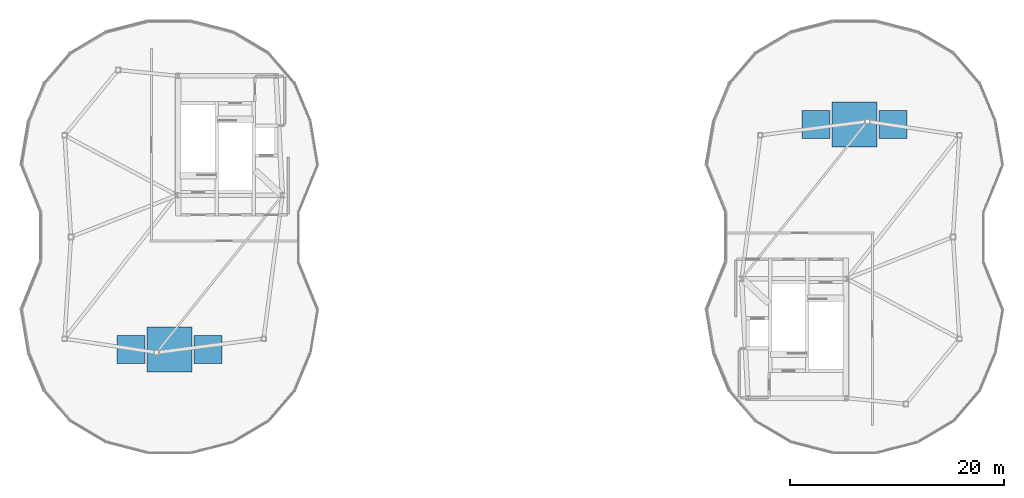
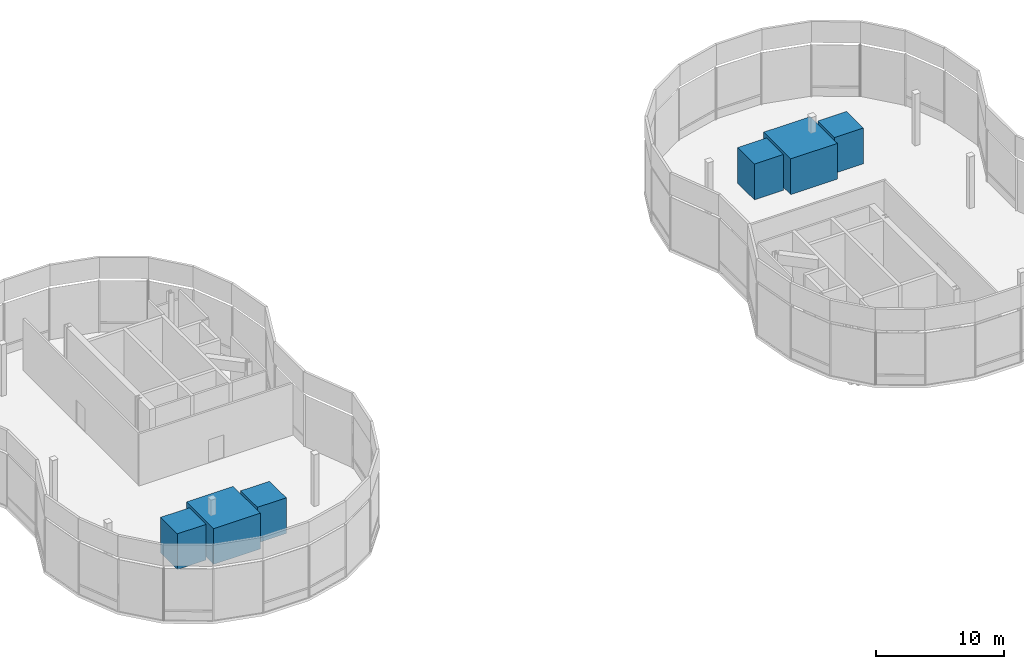
# One storey, part 13 of 14: 6 discrete accessories.
"""IFC4 building model written with IfcOpenShell, lengths in metres."""

import ifcopenshell
import ifcopenshell.guid

model = None  # the IFC model being written
_history = None  # IfcOwnerHistory: only IFC2X3 demands one
_inside = {}  # id of a spatial element -> (the spatial element, [elements in it])
_under = {}  # id of a project, library or spatial element -> (it, [spatial elements below it])
_declared = {}  # id of a project -> (the project, [libraries it declares])
_typed = {}  # id of a type object -> (the type object, [elements of that type])
_made_of = {}  # id of a material, layer set ... -> (it, [elements and type objects made of it])


def new_model(schema):
    """Start an empty IFC model of exactly this schema.

    Asked for "IFC4X3", IfcOpenShell would pick the latest addendum, in which some entities
    have other attributes; the version numbers below select the first issue.
    IFC2X3 requires an IfcOwnerHistory on every rooted entity: one is made here for all.
    """
    global model, _history
    if schema == "IFC4X3":
        model = ifcopenshell.file(schema_version=(4, 3, 0, 0))
    else:
        model = ifcopenshell.file(schema=schema)
    _inside.clear()
    _under.clear()
    _declared.clear()
    _typed.clear()
    _made_of.clear()
    _history = None
    if model.schema == "IFC2X3":
        org = make("IfcOrganization", Name="unknown")
        user = make(
            "IfcPersonAndOrganization",
            ThePerson=make("IfcPerson", FamilyName="unknown"),
            TheOrganization=org,
        )
        app = make(
            "IfcApplication",
            ApplicationDeveloper=org,
            Version="unknown",
            ApplicationFullName="unknown",
            ApplicationIdentifier="unknown",
        )
        _history = make(
            "IfcOwnerHistory",
            OwningUser=user,
            OwningApplication=app,
            ChangeAction="ADDED",
            CreationDate=0,
        )
    return model


def make(cls, **values):
    """One entity of the class cls with the attributes given. An attribute that is None is left unset."""
    return model.create_entity(
        cls, **{name: value for name, value in values.items() if value is not None}
    )


def rooted(cls, **values):
    """An entity with a GlobalId (a new one), such as an element, a storey or a relation."""
    return make(cls, GlobalId=ifcopenshell.guid.new(), OwnerHistory=_history, **values)


def si_unit(unit_type, name, prefix=None):
    """IfcSIUnit, for example si_unit("LENGTHUNIT", "METRE", prefix="MILLI")."""
    return make("IfcSIUnit", UnitType=unit_type, Prefix=prefix, Name=name)


def assignment(units):
    """IfcUnitAssignment: the units of a project."""
    return None if units is None else make("IfcUnitAssignment", Units=units)


def point(xyz):
    """IfcCartesianPoint."""
    return None if xyz is None else make("IfcCartesianPoint", Coordinates=xyz)


def direction(xyz):
    """IfcDirection."""
    return None if xyz is None else make("IfcDirection", DirectionRatios=xyz)


def frame(location, z_axis=None, x_axis=None):
    """IfcAxis2Placement3D, a coordinate frame: its origin and axes. An axis left out is left unset."""
    return make(
        "IfcAxis2Placement3D",
        Location=point(location),
        Axis=direction(z_axis),
        RefDirection=direction(x_axis),
    )


def frame_2d(location, x_axis=None):
    """IfcAxis2Placement2D, a coordinate frame in the plane: its origin and x axis."""
    return make(
        "IfcAxis2Placement2D", Location=point(location), RefDirection=direction(x_axis)
    )


def origin():
    """The frame at (0, 0, 0) with its axes left unset."""
    return frame((0.0, 0.0, 0.0))


def origin_2d():
    """The frame at (0, 0) in the plane with its x axis left unset."""
    return frame_2d((0.0, 0.0))


def place(relative_to, where):
    """IfcLocalPlacement: puts the frame where relative to a parent placement (None: the world)."""
    return make(
        "IfcLocalPlacement", PlacementRelTo=relative_to, RelativePlacement=where
    )


def context(
    kind, dimensions, precision=None, world=None, true_north=None, identifier=None
):
    """IfcGeometricRepresentationContext, for example the 3D "Model" context."""
    return make(
        "IfcGeometricRepresentationContext",
        ContextIdentifier=identifier,
        ContextType=kind,
        CoordinateSpaceDimension=dimensions,
        Precision=precision,
        WorldCoordinateSystem=world,
        TrueNorth=true_north,
    )


def subcontext(parent, identifier, kind, view, scale=None):
    """IfcGeometricRepresentationSubContext, for example "Body" below "Model"."""
    return make(
        "IfcGeometricRepresentationSubContext",
        ContextIdentifier=identifier,
        ContextType=kind,
        ParentContext=parent,
        TargetScale=scale,
        TargetView=view,
    )


def project(units=None, contexts=None):
    """IfcProject with its units and contexts."""
    return rooted(
        "IfcProject",
        Name="project",
        RepresentationContexts=contexts,
        UnitsInContext=assignment(units),
    )


def spatial(cls, under=None, at=None, **own):
    """A site, building, storey or space (cls), placed at a placement, below another one or the project."""
    s = rooted(cls, ObjectPlacement=at, **own)
    if under is not None:
        _under.setdefault(under.id(), (under, []))[1].append(s)
    return s


def profile(cls, at=None, kind="AREA", **sizes):
    """A parametric profile (cls). Its sizes go by their IFC names, for example OverallWidth=200.0."""
    return make(cls, ProfileType=kind, Position=at, **sizes)


def rectangle(**sizes):
    """IfcRectangleProfileDef."""
    return profile("IfcRectangleProfileDef", **sizes)


def extrude(swept, where, along, depth):
    """IfcExtrudedAreaSolid: the profile swept, set in the frame where, extruded along a direction by depth."""
    return make(
        "IfcExtrudedAreaSolid",
        SweptArea=swept,
        Position=where,
        ExtrudedDirection=direction(along),
        Depth=depth,
    )


def shape(context_of_items, identifier, shape_type, items):
    """IfcShapeRepresentation: the items that make up one representation, for example the "Body"."""
    return make(
        "IfcShapeRepresentation",
        ContextOfItems=context_of_items,
        RepresentationIdentifier=identifier,
        RepresentationType=shape_type,
        Items=items,
    )


def material(Name=None, Category=None):
    """IfcMaterial."""
    return make("IfcMaterial", Name=Name, Category=Category)


def made_of(thing, what):
    """Note that an element or type object is made of a material, layer set ...; save() writes the relation."""
    if what is not None:
        _made_of.setdefault(what.id(), (what, []))[1].append(thing)
    return thing


def type_object(cls, material=None, **own):
    """A type object (cls), such as IfcWallType, which elements share."""
    return made_of(rooted(cls, **own), material)


def element(
    cls,
    number,
    at=None,
    inside=None,
    cuts=None,
    type_object=None,
    material=None,
    context=None,
    identifier="Body",
    shape_type=None,
    held_by="IfcProductDefinitionShape",
    body=None,
    shapes=None,
    **own,
):
    """One element of the class cls, such as IfcWall. Its Tag is "e" and its number.

    at: its placement. inside: the storey or other place that contains it. cuts: it is an
    opening in that element (IfcRelVoidsElement). A single representation is given by context,
    identifier, shape_type and body (its items); several are given by shapes. held_by: the class
    of the entity that holds the representations. save() writes the other relations.
    """
    e = rooted(cls, Tag="e%d" % number, ObjectPlacement=at, **own)
    if body is not None:
        shapes = [shape(context, identifier, shape_type, body)]
    if shapes is not None:
        e.Representation = make(held_by, Representations=shapes)
    if inside is not None:
        _inside.setdefault(inside.id(), (inside, []))[1].append(e)
    if cuts is not None:
        rooted(
            "IfcRelVoidsElement", RelatingBuildingElement=cuts, RelatedOpeningElement=e
        )
    if type_object is not None:
        _typed.setdefault(type_object.id(), (type_object, []))[1].append(e)
    return made_of(e, material)


def aggregate(whole, parts):
    """IfcRelAggregates: a whole, such as a stair, and the parts it consists of."""
    return rooted("IfcRelAggregates", RelatingObject=whole, RelatedObjects=parts)


def save(model, path):
    """Write the relations noted so far, then the file.

    IfcRelAggregates (storeys below a building ...), IfcRelContainedInSpatialStructure (elements
    in a storey), IfcRelDefinesByType, IfcRelAssociatesMaterial and IfcRelDeclares: one each for
    every whole, place, type object, material and project.
    """
    for whole, parts in _under.values():
        aggregate(whole, parts)
    for where, things in _inside.values():
        rooted(
            "IfcRelContainedInSpatialStructure",
            RelatedElements=things,
            RelatingStructure=where,
        )
    for kind, things in _typed.values():
        rooted("IfcRelDefinesByType", RelatedObjects=things, RelatingType=kind)
    for what, things in _made_of.values():
        rooted("IfcRelAssociatesMaterial", RelatedObjects=things, RelatingMaterial=what)
    for by, libraries in _declared.values():
        rooted("IfcRelDeclares", RelatingContext=by, RelatedDefinitions=libraries)
    model.write(path)


model = new_model("IFC4")

# Units and contexts
model_context = context("Model", 3, precision=1e-05, world=origin(), true_north=direction((0.0, 1.0)))
body_context = subcontext(model_context, "Body", "Model", "MODEL_VIEW")
ifc_project = project(units=[si_unit("LENGTHUNIT", "METRE"), si_unit("AREAUNIT", "SQUARE_METRE"), si_unit("VOLUMEUNIT", "CUBIC_METRE"), si_unit("PLANEANGLEUNIT", "RADIAN"), si_unit("MASSUNIT", "GRAM", prefix="KILO"), si_unit("THERMODYNAMICTEMPERATUREUNIT", "KELVIN"), si_unit("POWERUNIT", "WATT")], contexts=[model_context])

# Site, building, storey
site_placement = place(None, origin())
site = spatial("IfcSite", under=ifc_project, at=site_placement, CompositionType="ELEMENT")
building_placement = place(site_placement, origin())
building = spatial("IfcBuilding", under=site, at=building_placement, Name="Cundina Bronze Exchange", CompositionType="ELEMENT")
storey_placement = place(building_placement, frame((0.0, 0.0, 286.39990234375)))
storey = spatial("IfcBuildingStorey", under=building, at=storey_placement, Name="L76", CompositionType="ELEMENT", Elevation=286.39990234375)

# Discrete accessories
ifc_material = material(Name="Steel ASTM A992 Grade 50", Category="steel")
discrete_accessory_type = type_object("IfcDiscreteAccessoryType", Name="ACC-TMD-420T", PredefinedType="USERDEFINED", material=ifc_material)
discrete_accessory_1_placement = place(storey_placement, frame((-35.60009765625, -10.5, 0.000244140625), z_axis=(0.0, 0.0, 1.0), x_axis=(1.0, 0.0, 0.0)))
element("IfcDiscreteAccessory", 1, at=discrete_accessory_1_placement, inside=storey, type_object=discrete_accessory_type, Name="L76 Leg W Tuned Mass Damper Unit 1", ObjectType="TUNED MASS DAMPER", PredefinedType="USERDEFINED", context=body_context, shape_type="SweptSolid", body=[
    extrude(rectangle(XDim=2.60009765625, YDim=2.60009765625, at=origin_2d()), origin(), (0.0, 0.0, 1.0), 3.39990234375),
])
discrete_accessory_2_placement = place(storey_placement, frame((-32.0, -10.5, 0.000244140625), z_axis=(0.0, 0.0, 1.0), x_axis=(1.0, 0.0, 0.0)))
element("IfcDiscreteAccessory", 2, at=discrete_accessory_2_placement, inside=storey, type_object=discrete_accessory_type, Name="L76 Leg W Tuned Mass Damper Unit 2", ObjectType="TUNED MASS DAMPER", PredefinedType="USERDEFINED", context=body_context, shape_type="SweptSolid", body=[
    extrude(rectangle(XDim=4.199951171875, YDim=4.199951171875, at=origin_2d()), origin(), (0.0, 0.0, 1.0), 3.39990234375),
])
for number, where, z_axis, x_axis, name in (
    (3, (-28.39990234375, -10.5, 0.000244140625), (0.0, 0.0, 1.0), (1.0, 0.0, 0.0), "L76 Leg W Tuned Mass Damper Unit 3"),
    (4, (28.39990234375, 10.5, 0.000244140625), (0.0, 0.0, 1.0), (1.0, 0.0, 0.0), "L76 Leg E Tuned Mass Damper Unit 1"),
):
    element("IfcDiscreteAccessory", number, at=place(storey_placement, frame(where, z_axis=z_axis, x_axis=x_axis)), inside=storey, type_object=discrete_accessory_type, Name=name, ObjectType="TUNED MASS DAMPER", PredefinedType="USERDEFINED", context=body_context, shape_type="SweptSolid", body=[
        extrude(rectangle(XDim=2.60009765625, YDim=2.60009765625, at=origin_2d()), origin(), (0.0, 0.0, 1.0), 3.39990234375),
    ])
discrete_accessory_3_placement = place(storey_placement, frame((32.0, 10.5, 0.000244140625), z_axis=(0.0, 0.0, 1.0), x_axis=(1.0, 0.0, 0.0)))
element("IfcDiscreteAccessory", 5, at=discrete_accessory_3_placement, inside=storey, type_object=discrete_accessory_type, Name="L76 Leg E Tuned Mass Damper Unit 2", ObjectType="TUNED MASS DAMPER", PredefinedType="USERDEFINED", context=body_context, shape_type="SweptSolid", body=[
    extrude(rectangle(XDim=4.199951171875, YDim=4.199951171875, at=origin_2d()), origin(), (0.0, 0.0, 1.0), 3.39990234375),
])
discrete_accessory_4_placement = place(storey_placement, frame((35.60009765625, 10.5, 0.000244140625), z_axis=(0.0, 0.0, 1.0), x_axis=(1.0, 0.0, 0.0)))
element("IfcDiscreteAccessory", 6, at=discrete_accessory_4_placement, inside=storey, type_object=discrete_accessory_type, Name="L76 Leg E Tuned Mass Damper Unit 3", ObjectType="TUNED MASS DAMPER", PredefinedType="USERDEFINED", context=body_context, shape_type="SweptSolid", body=[
    extrude(rectangle(XDim=2.60009765625, YDim=2.60009765625, at=origin_2d()), origin(), (0.0, 0.0, 1.0), 3.39990234375),
])

save(model, "model.ifc")
